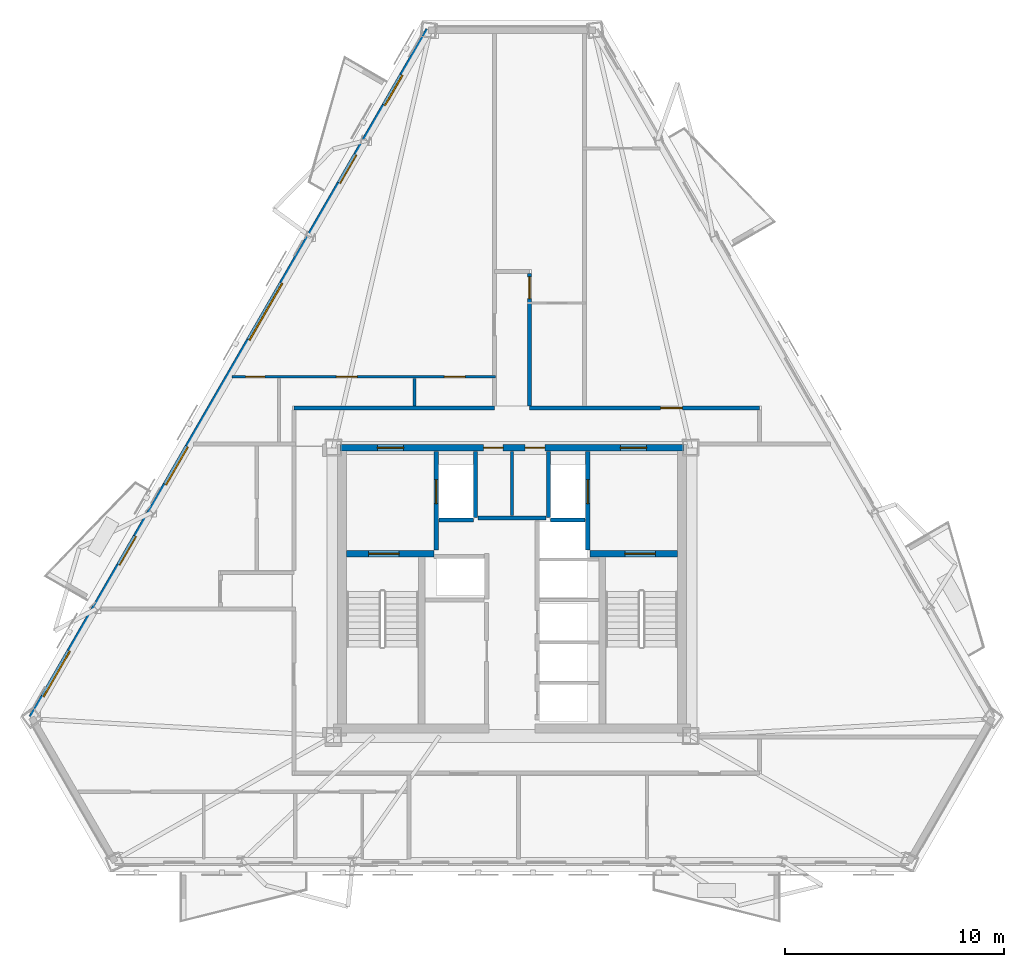
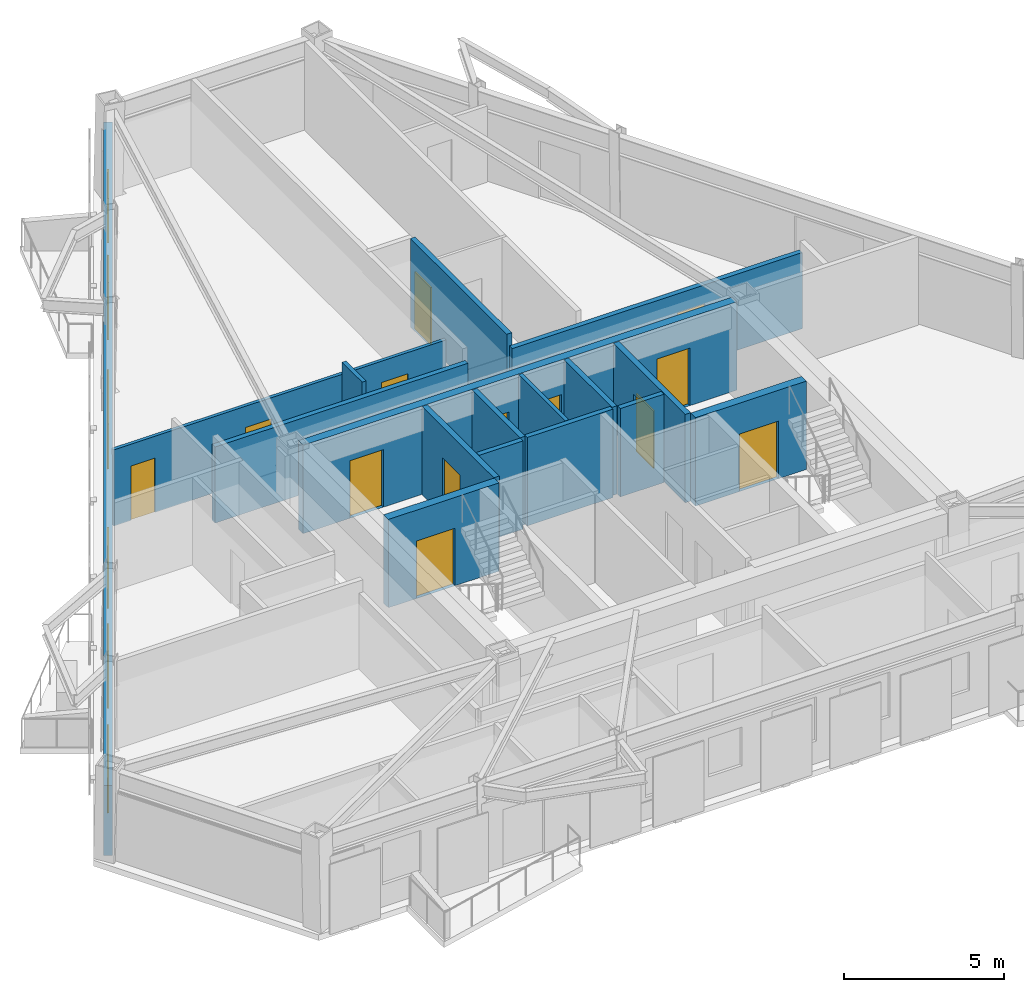
# One storey, part 4 of 8: 17 walls, 15 doors, 4 windows, 19 openings.
"""IFC4 building model written with IfcOpenShell, lengths in metres."""

import ifcopenshell
import ifcopenshell.guid

model = None  # the IFC model being written
_history = None  # IfcOwnerHistory: only IFC2X3 demands one
_inside = {}  # id of a spatial element -> (the spatial element, [elements in it])
_under = {}  # id of a project, library or spatial element -> (it, [spatial elements below it])
_declared = {}  # id of a project -> (the project, [libraries it declares])
_typed = {}  # id of a type object -> (the type object, [elements of that type])
_made_of = {}  # id of a material, layer set ... -> (it, [elements and type objects made of it])


def new_model(schema):
    """Start an empty IFC model of exactly this schema.

    Asked for "IFC4X3", IfcOpenShell would pick the latest addendum, in which some entities
    have other attributes; the version numbers below select the first issue.
    IFC2X3 requires an IfcOwnerHistory on every rooted entity: one is made here for all.
    """
    global model, _history
    if schema == "IFC4X3":
        model = ifcopenshell.file(schema_version=(4, 3, 0, 0))
    else:
        model = ifcopenshell.file(schema=schema)
    _inside.clear()
    _under.clear()
    _declared.clear()
    _typed.clear()
    _made_of.clear()
    _history = None
    if model.schema == "IFC2X3":
        org = make("IfcOrganization", Name="unknown")
        user = make(
            "IfcPersonAndOrganization",
            ThePerson=make("IfcPerson", FamilyName="unknown"),
            TheOrganization=org,
        )
        app = make(
            "IfcApplication",
            ApplicationDeveloper=org,
            Version="unknown",
            ApplicationFullName="unknown",
            ApplicationIdentifier="unknown",
        )
        _history = make(
            "IfcOwnerHistory",
            OwningUser=user,
            OwningApplication=app,
            ChangeAction="ADDED",
            CreationDate=0,
        )
    return model


def make(cls, **values):
    """One entity of the class cls with the attributes given. An attribute that is None is left unset."""
    return model.create_entity(
        cls, **{name: value for name, value in values.items() if value is not None}
    )


def rooted(cls, **values):
    """An entity with a GlobalId (a new one), such as an element, a storey or a relation."""
    return make(cls, GlobalId=ifcopenshell.guid.new(), OwnerHistory=_history, **values)


def si_unit(unit_type, name, prefix=None):
    """IfcSIUnit, for example si_unit("LENGTHUNIT", "METRE", prefix="MILLI")."""
    return make("IfcSIUnit", UnitType=unit_type, Prefix=prefix, Name=name)


def assignment(units):
    """IfcUnitAssignment: the units of a project."""
    return None if units is None else make("IfcUnitAssignment", Units=units)


def point(xyz):
    """IfcCartesianPoint."""
    return None if xyz is None else make("IfcCartesianPoint", Coordinates=xyz)


def direction(xyz):
    """IfcDirection."""
    return None if xyz is None else make("IfcDirection", DirectionRatios=xyz)


def frame(location, z_axis=None, x_axis=None):
    """IfcAxis2Placement3D, a coordinate frame: its origin and axes. An axis left out is left unset."""
    return make(
        "IfcAxis2Placement3D",
        Location=point(location),
        Axis=direction(z_axis),
        RefDirection=direction(x_axis),
    )


def frame_2d(location, x_axis=None):
    """IfcAxis2Placement2D, a coordinate frame in the plane: its origin and x axis."""
    return make(
        "IfcAxis2Placement2D", Location=point(location), RefDirection=direction(x_axis)
    )


def origin():
    """The frame at (0, 0, 0) with its axes left unset."""
    return frame((0.0, 0.0, 0.0))


def place(relative_to, where):
    """IfcLocalPlacement: puts the frame where relative to a parent placement (None: the world)."""
    return make(
        "IfcLocalPlacement", PlacementRelTo=relative_to, RelativePlacement=where
    )


def context(
    kind, dimensions, precision=None, world=None, true_north=None, identifier=None
):
    """IfcGeometricRepresentationContext, for example the 3D "Model" context."""
    return make(
        "IfcGeometricRepresentationContext",
        ContextIdentifier=identifier,
        ContextType=kind,
        CoordinateSpaceDimension=dimensions,
        Precision=precision,
        WorldCoordinateSystem=world,
        TrueNorth=true_north,
    )


def subcontext(parent, identifier, kind, view, scale=None):
    """IfcGeometricRepresentationSubContext, for example "Body" below "Model"."""
    return make(
        "IfcGeometricRepresentationSubContext",
        ContextIdentifier=identifier,
        ContextType=kind,
        ParentContext=parent,
        TargetScale=scale,
        TargetView=view,
    )


def project(units=None, contexts=None):
    """IfcProject with its units and contexts."""
    return rooted(
        "IfcProject",
        Name="project",
        RepresentationContexts=contexts,
        UnitsInContext=assignment(units),
    )


def spatial(cls, under=None, at=None, **own):
    """A site, building, storey or space (cls), placed at a placement, below another one or the project."""
    s = rooted(cls, ObjectPlacement=at, **own)
    if under is not None:
        _under.setdefault(under.id(), (under, []))[1].append(s)
    return s


def profile(cls, at=None, kind="AREA", **sizes):
    """A parametric profile (cls). Its sizes go by their IFC names, for example OverallWidth=200.0."""
    return make(cls, ProfileType=kind, Position=at, **sizes)


def rectangle(**sizes):
    """IfcRectangleProfileDef."""
    return profile("IfcRectangleProfileDef", **sizes)


def extrude(swept, where, along, depth):
    """IfcExtrudedAreaSolid: the profile swept, set in the frame where, extruded along a direction by depth."""
    return make(
        "IfcExtrudedAreaSolid",
        SweptArea=swept,
        Position=where,
        ExtrudedDirection=direction(along),
        Depth=depth,
    )


def shape(context_of_items, identifier, shape_type, items):
    """IfcShapeRepresentation: the items that make up one representation, for example the "Body"."""
    return make(
        "IfcShapeRepresentation",
        ContextOfItems=context_of_items,
        RepresentationIdentifier=identifier,
        RepresentationType=shape_type,
        Items=items,
    )


def material(Name=None, Category=None):
    """IfcMaterial."""
    return make("IfcMaterial", Name=Name, Category=Category)


def layer(
    of_material, thickness, ventilated=None, Name=None, Category=None, Priority=None
):
    """IfcMaterialLayer: one layer of a wall or slab, of a material (None: an air gap)."""
    return make(
        "IfcMaterialLayer",
        Material=of_material,
        LayerThickness=thickness,
        IsVentilated=ventilated,
        Name=Name,
        Category=Category,
        Priority=Priority,
    )


def layer_set(layers, Name=None):
    """IfcMaterialLayerSet."""
    return make("IfcMaterialLayerSet", MaterialLayers=layers, LayerSetName=Name)


def made_of(thing, what):
    """Note that an element or type object is made of a material, layer set ...; save() writes the relation."""
    if what is not None:
        _made_of.setdefault(what.id(), (what, []))[1].append(thing)
    return thing


def type_object(cls, material=None, **own):
    """A type object (cls), such as IfcWallType, which elements share."""
    return made_of(rooted(cls, **own), material)


def element(
    cls,
    number,
    at=None,
    inside=None,
    cuts=None,
    type_object=None,
    material=None,
    context=None,
    identifier="Body",
    shape_type=None,
    held_by="IfcProductDefinitionShape",
    body=None,
    shapes=None,
    **own,
):
    """One element of the class cls, such as IfcWall. Its Tag is "e" and its number.

    at: its placement. inside: the storey or other place that contains it. cuts: it is an
    opening in that element (IfcRelVoidsElement). A single representation is given by context,
    identifier, shape_type and body (its items); several are given by shapes. held_by: the class
    of the entity that holds the representations. save() writes the other relations.
    """
    e = rooted(cls, Tag="e%d" % number, ObjectPlacement=at, **own)
    if body is not None:
        shapes = [shape(context, identifier, shape_type, body)]
    if shapes is not None:
        e.Representation = make(held_by, Representations=shapes)
    if inside is not None:
        _inside.setdefault(inside.id(), (inside, []))[1].append(e)
    if cuts is not None:
        rooted(
            "IfcRelVoidsElement", RelatingBuildingElement=cuts, RelatedOpeningElement=e
        )
    if type_object is not None:
        _typed.setdefault(type_object.id(), (type_object, []))[1].append(e)
    return made_of(e, material)


def fill(opening, filler):
    """IfcRelFillsElement: the door or window that sits in an opening."""
    return rooted(
        "IfcRelFillsElement",
        RelatingOpeningElement=opening,
        RelatedBuildingElement=filler,
    )


def aggregate(whole, parts):
    """IfcRelAggregates: a whole, such as a stair, and the parts it consists of."""
    return rooted("IfcRelAggregates", RelatingObject=whole, RelatedObjects=parts)


def save(model, path):
    """Write the relations noted so far, then the file.

    IfcRelAggregates (storeys below a building ...), IfcRelContainedInSpatialStructure (elements
    in a storey), IfcRelDefinesByType, IfcRelAssociatesMaterial and IfcRelDeclares: one each for
    every whole, place, type object, material and project.
    """
    for whole, parts in _under.values():
        aggregate(whole, parts)
    for where, things in _inside.values():
        rooted(
            "IfcRelContainedInSpatialStructure",
            RelatedElements=things,
            RelatingStructure=where,
        )
    for kind, things in _typed.values():
        rooted("IfcRelDefinesByType", RelatedObjects=things, RelatingType=kind)
    for what, things in _made_of.values():
        rooted("IfcRelAssociatesMaterial", RelatedObjects=things, RelatingMaterial=what)
    for by, libraries in _declared.values():
        rooted("IfcRelDeclares", RelatingContext=by, RelatedDefinitions=libraries)
    model.write(path)


model = new_model("IFC4")

# Units and contexts
model_context = context("Model", 3, precision=1e-05, world=origin(), true_north=direction((0.0, 1.0)))
body_context = subcontext(model_context, "Body", "Model", "MODEL_VIEW")
ifc_project = project(units=[si_unit("LENGTHUNIT", "METRE"), si_unit("AREAUNIT", "SQUARE_METRE"), si_unit("VOLUMEUNIT", "CUBIC_METRE"), si_unit("PLANEANGLEUNIT", "RADIAN"), si_unit("MASSUNIT", "GRAM", prefix="KILO")], contexts=[model_context])

# Site, building, storey
site_placement = place(None, origin())
site = spatial("IfcSite", under=ifc_project, at=site_placement, CompositionType="ELEMENT")
building_placement = place(site_placement, origin())
building = spatial("IfcBuilding", under=site, at=building_placement, Name="Oramaril Tower", CompositionType="ELEMENT")
storey_placement = place(building_placement, frame((0.0, 0.0, 193.800048828125)))
storey = spatial("IfcBuildingStorey", under=building, at=storey_placement, Name="L51", CompositionType="ELEMENT", Elevation=193.800048828125)

# Wall, openings, doors, windows
ifc_material_1 = material(Name="Warm Cream Limestone", Category="masonry")
ifc_layer_1 = layer(ifc_material_1, 0.2900390625)
ifc_layer_set_1 = layer_set([ifc_layer_1], Name="WT-EXT29")
wall_type_1 = type_object("IfcWallType", Name="WT-EXT29", PredefinedType="SOLIDWALL", material=ifc_layer_set_1)
wall_1_placement = place(storey_placement, frame((33.69091796875, 43.21923828125, 0.0), z_axis=(0.0, 0.0, 1.0), x_axis=(-0.499997159266, -0.866027043877, 0.0)))
wall_1 = element("IfcWall", 1, at=wall_1_placement, inside=storey, type_object=wall_type_1, Name="L51 Tower Limestone Facade Wall 6M", PredefinedType="SOLIDWALL", context=body_context, shape_type="SweptSolid", body=[
    extrude(rectangle(XDim=36.234619140625, YDim=0.2900390625, at=frame_2d((18.1171875, 0.0))), origin(), (0.0, 0.0, 1.0), 2.677001953125),
])
opening_1_placement = place(wall_1_placement, frame((6.579345703125, 0.0, 0.0)))
opening_1 = element("IfcOpeningElement", 2, at=opening_1_placement, cuts=wall_1, Name="Opening D-L51-BAL-NW1", PredefinedType="OPENING", context=body_context, shape_type="SweptSolid", body=[
    extrude(rectangle(XDim=1.5, YDim=2.199951171875, at=frame_2d((0.75, 1.10009765625))), frame((0.0, 0.14501953125, 0.0), z_axis=(0.0, -1.0, 0.0), x_axis=(1.0, 0.0, 0.0)), (0.0, 0.0, 1.0), 0.2900390625),
])
opening_2_placement = place(wall_1_placement, frame((26.7001953125, 0.0, 0.0)))
opening_2 = element("IfcOpeningElement", 3, at=opening_2_placement, cuts=wall_1, Name="Opening D-L51-BAL-NW2", PredefinedType="OPENING", context=body_context, shape_type="SweptSolid", body=[
    extrude(rectangle(XDim=1.5, YDim=2.199951171875, at=frame_2d((0.75, 1.10009765625))), frame((0.0, 0.14501953125, 0.0), z_axis=(0.0, -1.0, 0.0), x_axis=(1.0, 0.0, 0.0)), (0.0, 0.0, 1.0), 0.2900390625),
])
opening_3_placement = place(wall_1_placement, frame((32.739501953125, 0.0, 0.85009765625)))
opening_3 = element("IfcOpeningElement", 4, at=opening_3_placement, cuts=wall_1, Name="Opening WN-03", PredefinedType="OPENING", context=body_context, shape_type="SweptSolid", body=[
    extrude(rectangle(XDim=2.39990234375, YDim=1.717041015625, at=frame_2d((1.199951171875, 0.8583984375))), frame((0.0, 0.14501953125, 0.0), z_axis=(0.0, -1.0, 0.0), x_axis=(1.0, 0.0, 0.0)), (0.0, 0.0, 1.0), 0.2900390625),
])
opening_4_placement = place(wall_1_placement, frame((21.97119140625, 0.0, 0.85009765625)))
opening_4 = element("IfcOpeningElement", 5, at=opening_4_placement, cuts=wall_1, Name="Opening WN-05", PredefinedType="OPENING", context=body_context, shape_type="SweptSolid", body=[
    extrude(rectangle(XDim=2.0, YDim=1.717041015625, at=frame_2d((1.0, 0.8583984375))), frame((0.0, 0.14501953125, 0.0), z_axis=(0.0, -1.0, 0.0), x_axis=(1.0, 0.0, 0.0)), (0.0, 0.0, 1.0), 0.2900390625),
])
opening_5_placement = place(wall_1_placement, frame((2.383056640625, 0.0, 0.85009765625)))
opening_5 = element("IfcOpeningElement", 6, at=opening_5_placement, cuts=wall_1, Name="Opening WN-07", PredefinedType="OPENING", context=body_context, shape_type="SweptSolid", body=[
    extrude(rectangle(XDim=1.60009765625, YDim=1.699951171875, at=frame_2d((0.800048828125, 0.85009765625))), frame((0.0, 0.14501953125, 0.0), z_axis=(0.0, -1.0, 0.0), x_axis=(1.0, 0.0, 0.0)), (0.0, 0.0, 1.0), 0.2900390625),
])
opening_6_placement = place(wall_1_placement, frame((13.34814453125, 0.0, 0.85009765625)))
opening_6 = element("IfcOpeningElement", 7, at=opening_6_placement, cuts=wall_1, Name="Opening WN-10", PredefinedType="OPENING", context=body_context, shape_type="SweptSolid", body=[
    extrude(rectangle(XDim=3.0, YDim=1.717041015625, at=frame_2d((1.5, 0.8583984375))), frame((0.0, 0.14501953125, 0.0), z_axis=(0.0, -1.0, 0.0), x_axis=(1.0, 0.0, 0.0)), (0.0, 0.0, 1.0), 0.2900390625),
])
ifc_material_2 = material(Name="Anodised Aluminium 6063-T6", Category="aluminium")
door_type_1 = type_object("IfcDoorType", Name="DT-BAL", OperationType="NOTDEFINED", PredefinedType="DOOR", material=ifc_material_2)
door_1_placement = place(opening_1_placement, origin())
door_1 = element("IfcDoor", 8, at=door_1_placement, inside=storey, type_object=door_type_1, Name="L51 Balcony Glazed Door L51-BAL-NW1", OperationType="SINGLE_SWING_RIGHT", OverallHeight=2.199951171875, OverallWidth=1.5, PredefinedType="DOOR", context=body_context, shape_type="SweptSolid", body=[
    extrude(rectangle(XDim=1.5, YDim=2.199951171875, at=frame_2d((0.75, 1.10009765625))), frame((0.0, 0.02490234375, 0.0), z_axis=(0.0, -1.0, 0.0), x_axis=(1.0, 0.0, 0.0)), (0.0, 0.0, 1.0), 0.050048828125),
])
fill(opening_1, door_1)
door_2_placement = place(opening_2_placement, origin())
door_2 = element("IfcDoor", 9, at=door_2_placement, inside=storey, type_object=door_type_1, Name="L51 Balcony Glazed Door L51-BAL-NW2", OperationType="SINGLE_SWING_LEFT", OverallHeight=2.199951171875, OverallWidth=1.5, PredefinedType="DOOR", context=body_context, shape_type="SweptSolid", body=[
    extrude(rectangle(XDim=1.5, YDim=2.199951171875, at=frame_2d((0.75, 1.10009765625))), frame((0.0, 0.02490234375, 0.0), z_axis=(0.0, -1.0, 0.0), x_axis=(1.0, 0.0, 0.0)), (0.0, 0.0, 1.0), 0.050048828125),
])
fill(opening_2, door_2)
ifc_material_3 = material(Name="Coastal Low-E Insulated Glass", Category="glass")
window_type_1 = type_object("IfcWindowType", Name="WNT-03", PartitioningType="SINGLE_PANEL", PredefinedType="WINDOW", material=ifc_material_3)
window_1_placement = place(opening_3_placement, origin())
window_1 = element("IfcWindow", 10, at=window_1_placement, inside=storey, type_object=window_type_1, Name="L51 Chicago Bay Window WN-03", OverallHeight=1.717041015625, OverallWidth=2.39990234375, PartitioningType="SINGLE_PANEL", PredefinedType="WINDOW", context=body_context, shape_type="SweptSolid", body=[
    extrude(rectangle(XDim=2.39990234375, YDim=1.717041015625, at=frame_2d((1.199951171875, 0.8583984375))), frame((0.0, 0.030029296875, 0.0), z_axis=(0.0, -1.0, 0.0), x_axis=(1.0, 0.0, 0.0)), (0.0, 0.0, 1.0), 0.06005859375),
])
fill(opening_3, window_1)
ifc_material_4 = material(Name="Coastal Low-E Insulated Glass", Category="glass")
window_type_2 = type_object("IfcWindowType", Name="WNT-05", PartitioningType="SINGLE_PANEL", PredefinedType="WINDOW", material=ifc_material_4)
window_2_placement = place(opening_4_placement, origin())
window_2 = element("IfcWindow", 11, at=window_2_placement, inside=storey, type_object=window_type_2, Name="L51 Chicago Bay Window WN-05", OverallHeight=1.717041015625, OverallWidth=2.0, PartitioningType="SINGLE_PANEL", PredefinedType="WINDOW", context=body_context, shape_type="SweptSolid", body=[
    extrude(rectangle(XDim=2.0, YDim=1.717041015625, at=frame_2d((1.0, 0.8583984375))), frame((0.0, 0.030029296875, 0.0), z_axis=(0.0, -1.0, 0.0), x_axis=(1.0, 0.0, 0.0)), (0.0, 0.0, 1.0), 0.06005859375),
])
fill(opening_4, window_2)
ifc_material_5 = material(Name="Coastal Low-E Insulated Glass", Category="glass")
window_type_3 = type_object("IfcWindowType", Name="WNT-07", PartitioningType="SINGLE_PANEL", PredefinedType="WINDOW", material=ifc_material_5)
window_3_placement = place(opening_5_placement, origin())
window_3 = element("IfcWindow", 12, at=window_3_placement, inside=storey, type_object=window_type_3, Name="L51 Chicago Bay Window WN-07", OverallHeight=1.699951171875, OverallWidth=1.60009765625, PartitioningType="SINGLE_PANEL", PredefinedType="WINDOW", context=body_context, shape_type="SweptSolid", body=[
    extrude(rectangle(XDim=1.60009765625, YDim=1.699951171875, at=frame_2d((0.800048828125, 0.85009765625))), frame((0.0, 0.030029296875, 0.0), z_axis=(0.0, -1.0, 0.0), x_axis=(1.0, 0.0, 0.0)), (0.0, 0.0, 1.0), 0.06005859375),
])
fill(opening_5, window_3)
ifc_material_6 = material(Name="Coastal Low-E Insulated Glass", Category="glass")
window_type_4 = type_object("IfcWindowType", Name="WNT-10", PartitioningType="SINGLE_PANEL", PredefinedType="WINDOW", material=ifc_material_6)
window_4_placement = place(opening_6_placement, origin())
window_4 = element("IfcWindow", 13, at=window_4_placement, inside=storey, type_object=window_type_4, Name="L51 Chicago Bay Window WN-10", OverallHeight=1.717041015625, OverallWidth=3.0, PartitioningType="SINGLE_PANEL", PredefinedType="WINDOW", context=body_context, shape_type="SweptSolid", body=[
    extrude(rectangle(XDim=3.0, YDim=1.717041015625, at=frame_2d((1.5, 0.8583984375))), frame((0.0, 0.030029296875, 0.0), z_axis=(0.0, -1.0, 0.0), x_axis=(1.0, 0.0, 0.0)), (0.0, 0.0, 1.0), 0.06005859375),
])
fill(opening_6, window_4)

# Wall, openings, doors
ifc_material_7 = material(Name="Acoustic Gypsum Board Partition")
ifc_layer_2 = layer(ifc_material_7, 0.1201171875)
ifc_layer_set_2 = layer_set([ifc_layer_2], Name="WT-PT12")
wall_type_2 = type_object("IfcWallType", Name="WT-PT12", PredefinedType="PARTITIONING", material=ifc_layer_set_2)
wall_2_placement = place(storey_placement, frame((24.72412109375, 27.389892578125, 0.0), z_axis=(0.0, 0.0, 1.0), x_axis=(1.0, 0.0, 0.0)))
wall_2 = element("IfcWall", 14, at=wall_2_placement, inside=storey, type_object=wall_type_2, Name="L51 Interior Partition PT-12", PredefinedType="PARTITIONING", context=body_context, shape_type="SweptSolid", body=[
    extrude(rectangle(XDim=12.02587890625, YDim=0.1201171875, at=frame_2d((6.012939453125, 0.0))), origin(), (0.0, 0.0, 1.0), 2.912841796875),
])
opening_7_placement = place(wall_2_placement, frame((0.6162109375, 0.0, 0.0)))
opening_7 = element("IfcOpeningElement", 15, at=opening_7_placement, cuts=wall_2, Name="Opening D-L51-08", PredefinedType="OPENING", context=body_context, shape_type="SweptSolid", body=[
    extrude(rectangle(XDim=0.8798828125, YDim=2.080078125, at=frame_2d((0.43994140625, 1.0400390625))), frame((0.0, 0.06005859375, 0.0), z_axis=(0.0, -1.0, 0.0), x_axis=(1.0, 0.0, 0.0)), (0.0, 0.0, 1.0), 0.1201171875),
])
opening_8_placement = place(wall_2_placement, frame((4.7587890625, 0.0, 0.0)))
opening_8 = element("IfcOpeningElement", 16, at=opening_8_placement, cuts=wall_2, Name="Opening D-L51-09", PredefinedType="OPENING", context=body_context, shape_type="SweptSolid", body=[
    extrude(rectangle(XDim=0.949951171875, YDim=2.10009765625, at=frame_2d((0.47509765625, 1.050048828125))), frame((0.0, 0.06005859375, 0.0), z_axis=(0.0, -1.0, 0.0), x_axis=(1.0, 0.0, 0.0)), (0.0, 0.0, 1.0), 0.1201171875),
])
opening_9_placement = place(wall_2_placement, frame((9.69091796875, 0.0, 0.0)))
opening_9 = element("IfcOpeningElement", 17, at=opening_9_placement, cuts=wall_2, Name="Opening D-L51-10", PredefinedType="OPENING", context=body_context, shape_type="SweptSolid", body=[
    extrude(rectangle(XDim=0.949951171875, YDim=2.10009765625, at=frame_2d((0.47509765625, 1.050048828125))), frame((0.0, 0.06005859375, 0.0), z_axis=(0.0, -1.0, 0.0), x_axis=(1.0, 0.0, 0.0)), (0.0, 0.0, 1.0), 0.1201171875),
])
ifc_material_8 = material(Name="FSC Brazilian Freijo Hardwood", Category="wood")
door_type_2 = type_object("IfcDoorType", Name="DT-BATH", OperationType="NOTDEFINED", PredefinedType="DOOR", material=ifc_material_8)
door_3_placement = place(opening_7_placement, origin())
door_3 = element("IfcDoor", 18, at=door_3_placement, inside=storey, type_object=door_type_2, Name="L51 Flat L51-U5 Bathroom Door D-L51-08", OperationType="SINGLE_SWING_RIGHT", OverallHeight=2.080078125, OverallWidth=0.8798828125, PredefinedType="DOOR", context=body_context, shape_type="SweptSolid", body=[
    extrude(rectangle(XDim=0.8798828125, YDim=2.080078125, at=frame_2d((0.43994140625, 1.0400390625))), frame((0.0, 0.02490234375, 0.0), z_axis=(0.0, -1.0, 0.0), x_axis=(1.0, 0.0, 0.0)), (0.0, 0.0, 1.0), 0.050048828125),
])
fill(opening_7, door_3)
ifc_material_9 = material(Name="FSC Brazilian Freijo Hardwood", Category="wood")
door_type_3 = type_object("IfcDoorType", Name="DT-STDY", OperationType="NOTDEFINED", PredefinedType="DOOR", material=ifc_material_9)
door_4_placement = place(opening_8_placement, origin())
door_4 = element("IfcDoor", 19, at=door_4_placement, inside=storey, type_object=door_type_3, Name="L51 Flat L51-U5 Kitchen Door D-L51-09", OperationType="SINGLE_SWING_LEFT", OverallHeight=2.10009765625, OverallWidth=0.949951171875, PredefinedType="DOOR", context=body_context, shape_type="SweptSolid", body=[
    extrude(rectangle(XDim=0.949951171875, YDim=2.10009765625, at=frame_2d((0.47509765625, 1.050048828125))), frame((0.0, 0.02490234375, 0.0), z_axis=(0.0, -1.0, 0.0), x_axis=(1.0, 0.0, 0.0)), (0.0, 0.0, 1.0), 0.050048828125),
])
fill(opening_8, door_4)
door_5_placement = place(opening_9_placement, origin())
door_5 = element("IfcDoor", 20, at=door_5_placement, inside=storey, type_object=door_type_3, Name="L51 Flat L51-U5 Breakfast Dining Room Door D-L51-10", OperationType="SINGLE_SWING_RIGHT", OverallHeight=2.10009765625, OverallWidth=0.949951171875, PredefinedType="DOOR", context=body_context, shape_type="SweptSolid", body=[
    extrude(rectangle(XDim=0.949951171875, YDim=2.10009765625, at=frame_2d((0.47509765625, 1.050048828125))), frame((0.0, 0.02490234375, 0.0), z_axis=(0.0, -1.0, 0.0), x_axis=(1.0, 0.0, 0.0)), (0.0, 0.0, 1.0), 0.050048828125),
])
fill(opening_9, door_5)

# Walls
ifc_material_10 = material(Name="Acoustic Gypsum Board Partition")
ifc_layer_3 = layer(ifc_material_10, 0.139892578125)
ifc_layer_set_3 = layer_set([ifc_layer_3], Name="WT-PT14")
wall_type_3 = type_object("IfcWallType", Name="WT-PT14", PredefinedType="PARTITIONING", material=ifc_layer_set_3)
wall_3_placement = place(storey_placement, frame((37.5, 21.06005859375, 0.0), z_axis=(0.0, 0.0, 1.0), x_axis=(0.0, 1.0, 0.0)))
element("IfcWall", 21, at=wall_3_placement, inside=storey, type_object=wall_type_3, Name="L51 Core Service Divider", PredefinedType="PARTITIONING", context=body_context, shape_type="SweptSolid", body=[
    extrude(rectangle(XDim=2.919921875, YDim=0.139892578125, at=frame_2d((1.4599609375, 0.0))), origin(), (0.0, 0.0, 1.0), 3.3798828125),
])
wall_4_placement = place(storey_placement, frame((33.050048828125, 26.06396484375, 0.0), z_axis=(0.0, 0.0, 1.0), x_axis=(0.0, 1.0, 0.0)))
element("IfcWall", 22, at=wall_4_placement, inside=storey, type_object=wall_type_3, Name="L51 Interior Partition PT-14", PredefinedType="PARTITIONING", context=body_context, shape_type="SweptSolid", body=[
    extrude(rectangle(XDim=1.261962890625, YDim=0.139892578125, at=frame_2d((0.630859375, 0.0))), origin(), (0.0, 0.0, 1.0), 3.3798828125),
])
ifc_material_11 = material(Name="Autoclaved Cellular Concrete Block", Category="concrete")
ifc_layer_4 = layer(ifc_material_11, 0.179931640625)
ifc_layer_set_4 = layer_set([ifc_layer_4], Name="WT-PT18")
wall_type_4 = type_object("IfcWallType", Name="WT-PT18", PredefinedType="PARTITIONING", material=ifc_layer_set_4)
wall_5_placement = place(storey_placement, frame((35.840087890625, 20.9599609375, 0.0), z_axis=(0.0, 0.0, 1.0), x_axis=(0.0, 1.0, 0.0)))
element("IfcWall", 23, at=wall_5_placement, inside=storey, type_object=wall_type_4, Name="L51 FL-1 East Shaft Wall", PredefinedType="PARTITIONING", context=body_context, shape_type="SweptSolid", body=[
    extrude(rectangle(XDim=3.02001953125, YDim=0.179931640625, at=frame_2d((1.510009765625, 0.0))), origin(), (0.0, 0.0, 1.0), 3.3798828125),
])
wall_6_placement = place(storey_placement, frame((34.159912109375, 20.860107421875, 0.0), z_axis=(0.0, 0.0, 1.0), x_axis=(1.0, 0.0, 0.0)))
element("IfcWall", 24, at=wall_6_placement, inside=storey, type_object=wall_type_4, Name="L51 FL-1 South Shaft Wall", PredefinedType="PARTITIONING", context=body_context, shape_type="SweptSolid", body=[
    extrude(rectangle(XDim=1.580078125, YDim=0.179931640625, at=frame_2d((0.7900390625, 0.0))), origin(), (0.0, 0.0, 1.0), 3.3798828125),
])
wall_7_placement = place(storey_placement, frame((39.159912109375, 20.9599609375, 0.0), z_axis=(0.0, 0.0, 1.0), x_axis=(0.0, 1.0, 0.0)))
element("IfcWall", 25, at=wall_7_placement, inside=storey, type_object=wall_type_4, Name="L51 FL-2 West Shaft Wall", PredefinedType="PARTITIONING", context=body_context, shape_type="SweptSolid", body=[
    extrude(rectangle(XDim=3.02001953125, YDim=0.179931640625, at=frame_2d((1.510009765625, 0.0))), origin(), (0.0, 0.0, 1.0), 3.3798828125),
])
wall_8_placement = place(storey_placement, frame((39.260009765625, 20.860107421875, 0.0), z_axis=(0.0, 0.0, 1.0), x_axis=(1.0, 0.0, 0.0)))
element("IfcWall", 26, at=wall_8_placement, inside=storey, type_object=wall_type_4, Name="L51 FL-2 South Shaft Wall", PredefinedType="PARTITIONING", context=body_context, shape_type="SweptSolid", body=[
    extrude(rectangle(XDim=1.580078125, YDim=0.179931640625, at=frame_2d((0.7900390625, 0.0))), origin(), (0.0, 0.0, 1.0), 3.3798828125),
])
wall_9_placement = place(storey_placement, frame((35.949951171875, 20.949951171875, 0.0), z_axis=(0.0, 0.0, 1.0), x_axis=(1.0, 0.0, 0.0)))
element("IfcWall", 27, at=wall_9_placement, inside=storey, type_object=wall_type_4, Name="L51 Lift Lobby North Partition", PredefinedType="PARTITIONING", context=body_context, shape_type="SweptSolid", body=[
    extrude(rectangle(XDim=3.10009765625, YDim=0.179931640625, at=frame_2d((1.550048828125, 0.0))), origin(), (0.0, 0.0, 1.0), 3.3798828125),
])
wall_10_placement = place(storey_placement, frame((27.550048828125, 25.969970703125, 0.0), z_axis=(0.0, 0.0, 1.0), x_axis=(1.0, 0.0, 0.0)))
element("IfcWall", 28, at=wall_10_placement, inside=storey, type_object=wall_type_4, Name="L51 Interior Partition PT-18", PredefinedType="PARTITIONING", context=body_context, shape_type="SweptSolid", body=[
    extrude(rectangle(XDim=9.14990234375, YDim=0.179931640625, at=frame_2d((4.574951171875, 0.0))), origin(), (0.0, 0.0, 1.0), 2.912841796875),
])

# Wall, opening, door
wall_11_placement = place(storey_placement, frame((38.300048828125, 25.969970703125, 0.0), z_axis=(0.0, 0.0, 1.0), x_axis=(1.0, 0.0, 0.0)))
wall_11 = element("IfcWall", 29, at=wall_11_placement, inside=storey, type_object=wall_type_4, Name="L51 Interior Partition PT-18", PredefinedType="PARTITIONING", context=body_context, shape_type="SweptSolid", body=[
    extrude(rectangle(XDim=10.5, YDim=0.179931640625, at=frame_2d((5.25, 0.0))), origin(), (0.0, 0.0, 1.0), 2.912841796875),
])
opening_10_placement = place(wall_11_placement, frame((5.97900390625, 0.0, 0.0)))
opening_10 = element("IfcOpeningElement", 30, at=opening_10_placement, cuts=wall_11, Name="Opening D-L51-07", PredefinedType="OPENING", context=body_context, shape_type="SweptSolid", body=[
    extrude(rectangle(XDim=1.0, YDim=2.179931640625, at=frame_2d((0.5, 1.08984375))), frame((0.0, 0.08984375, 0.0), z_axis=(0.0, -1.0, 0.0), x_axis=(1.0, 0.0, 0.0)), (0.0, 0.0, 1.0), 0.179931640625),
])
ifc_material_12 = material(Name="FSC Brazilian Freijo Hardwood", Category="wood")
door_type_4 = type_object("IfcDoorType", Name="DT-APT", OperationType="NOTDEFINED", PredefinedType="DOOR", material=ifc_material_12)
door_6_placement = place(opening_10_placement, origin())
door_6 = element("IfcDoor", 31, at=door_6_placement, inside=storey, type_object=door_type_4, Name="L51 Flat L51-U7 Kitchen and Studio Apartment Door D-L51-07", OperationType="SINGLE_SWING_LEFT", OverallHeight=2.179931640625, OverallWidth=1.0, PredefinedType="DOOR", context=body_context, shape_type="SweptSolid", body=[
    extrude(rectangle(XDim=1.0, YDim=2.179931640625, at=frame_2d((0.5, 1.08984375))), frame((0.0, 0.02490234375, 0.0), z_axis=(0.0, -1.0, 0.0), x_axis=(1.0, 0.0, 0.0)), (0.0, 0.0, 1.0), 0.050048828125),
])
fill(opening_10, door_6)

wall_12_placement = place(storey_placement, frame((38.300048828125, 26.06396484375, 0.0), z_axis=(0.0, 0.0, 1.0), x_axis=(0.0, 1.0, 0.0)))
wall_12 = element("IfcWall", 32, at=wall_12_placement, inside=storey, type_object=wall_type_4, Name="L51 Interior Partition PT-18", PredefinedType="PARTITIONING", context=body_context, shape_type="SweptSolid", body=[
    extrude(rectangle(XDim=6.0419921875, YDim=0.179931640625, at=frame_2d((3.02099609375, 0.0))), origin(), (0.0, 0.0, 1.0), 3.3798828125),
])
opening_11_placement = place(wall_12_placement, frame((4.89208984375, 0.0, 0.0)))
opening_11 = element("IfcOpeningElement", 33, at=opening_11_placement, cuts=wall_12, Name="Opening D-L51-17", PredefinedType="OPENING", context=body_context, shape_type="SweptSolid", body=[
    extrude(rectangle(XDim=1.0, YDim=2.179931640625, at=frame_2d((0.5, 1.08984375))), frame((0.0, 0.08984375, 0.0), z_axis=(0.0, -1.0, 0.0), x_axis=(1.0, 0.0, 0.0)), (0.0, 0.0, 1.0), 0.179931640625),
])
door_7_placement = place(opening_11_placement, origin())
door_7 = element("IfcDoor", 34, at=door_7_placement, inside=storey, type_object=door_type_4, Name="L51 Flat L51-U6 Kitchen and Studio Apartment Door D-L51-17", OperationType="SINGLE_SWING_LEFT", OverallHeight=2.179931640625, OverallWidth=1.0, PredefinedType="DOOR", context=body_context, shape_type="SweptSolid", body=[
    extrude(rectangle(XDim=1.0, YDim=2.179931640625, at=frame_2d((0.5, 1.08984375))), frame((0.0, 0.02490234375, 0.0), z_axis=(0.0, -1.0, 0.0), x_axis=(1.0, 0.0, 0.0)), (0.0, 0.0, 1.0), 0.050048828125),
])
fill(opening_11, door_7)

# Wall, openings, doors
ifc_material_13 = material(Name="Concrete C50/60", Category="concrete")
ifc_layer_5 = layer(ifc_material_13, 0.300048828125)
ifc_layer_set_5 = layer_set([ifc_layer_5], Name="WT-SH30")
wall_type_5 = type_object("IfcWallType", Name="WT-SH30", PredefinedType="SHEAR", material=ifc_layer_set_5)
wall_13_placement = place(storey_placement, frame((29.64990234375, 24.14990234375, 0.0), z_axis=(0.0, 0.0, 1.0), x_axis=(1.0, 0.0, 0.0)))
wall_13 = element("IfcWall", 35, at=wall_13_placement, inside=storey, type_object=wall_type_5, Name="L51 Core Shear Wall CW-N", PredefinedType="SHEAR", context=body_context, shape_type="SweptSolid", body=[
    extrude(rectangle(XDim=15.7001953125, YDim=0.300048828125, at=frame_2d((7.85009765625, 0.0))), origin(), (0.0, 0.0, 1.0), 3.3798828125),
])
opening_12_placement = place(wall_13_placement, frame((1.699951171875, 0.0, 0.0)))
opening_12 = element("IfcOpeningElement", 36, at=opening_12_placement, cuts=wall_13, Name="Opening D-L51-FFL1", PredefinedType="OPENING", context=body_context, shape_type="SweptSolid", body=[
    extrude(rectangle(XDim=1.199951171875, YDim=2.199951171875, at=frame_2d((0.60009765625, 1.10009765625))), frame((0.0, 0.14990234375, 0.0), z_axis=(0.0, -1.0, 0.0), x_axis=(1.0, 0.0, 0.0)), (0.0, 0.0, 1.0), 0.300048828125),
])
opening_13_placement = place(wall_13_placement, frame((12.800048828125, 0.0, 0.0)))
opening_13 = element("IfcOpeningElement", 37, at=opening_13_placement, cuts=wall_13, Name="Opening D-L51-FFL2", PredefinedType="OPENING", context=body_context, shape_type="SweptSolid", body=[
    extrude(rectangle(XDim=1.199951171875, YDim=2.199951171875, at=frame_2d((0.60009765625, 1.10009765625))), frame((0.0, 0.14990234375, 0.0), z_axis=(0.0, -1.0, 0.0), x_axis=(1.0, 0.0, 0.0)), (0.0, 0.0, 1.0), 0.300048828125),
])
opening_14_placement = place(wall_13_placement, frame((6.550048828125, 0.0, 0.0)))
opening_14 = element("IfcOpeningElement", 38, at=opening_14_placement, cuts=wall_13, Name="Opening D-L51-SV1", PredefinedType="OPENING", context=body_context, shape_type="SweptSolid", body=[
    extrude(rectangle(XDim=0.89990234375, YDim=2.050048828125, at=frame_2d((0.449951171875, 1.02490234375))), frame((0.0, 0.14990234375, 0.0), z_axis=(0.0, -1.0, 0.0), x_axis=(1.0, 0.0, 0.0)), (0.0, 0.0, 1.0), 0.300048828125),
])
opening_15_placement = place(wall_13_placement, frame((8.449951171875, 0.0, 0.0)))
opening_15 = element("IfcOpeningElement", 39, at=opening_15_placement, cuts=wall_13, Name="Opening D-L51-SV2", PredefinedType="OPENING", context=body_context, shape_type="SweptSolid", body=[
    extrude(rectangle(XDim=0.89990234375, YDim=2.050048828125, at=frame_2d((0.449951171875, 1.02490234375))), frame((0.0, 0.14990234375, 0.0), z_axis=(0.0, -1.0, 0.0), x_axis=(1.0, 0.0, 0.0)), (0.0, 0.0, 1.0), 0.300048828125),
])
ifc_material_14 = material(Name="Painted Galvanised Steel", Category="steel")
door_type_5 = type_object("IfcDoorType", Name="DT-FFL", OperationType="NOTDEFINED", PredefinedType="DOOR", material=ifc_material_14)
door_8_placement = place(opening_12_placement, origin())
door_8 = element("IfcDoor", 40, at=door_8_placement, inside=storey, type_object=door_type_5, Name="L51 Firefighting Lobby 1 Fire Door", OperationType="SINGLE_SWING_LEFT", OverallHeight=2.199951171875, OverallWidth=1.199951171875, PredefinedType="DOOR", context=body_context, shape_type="SweptSolid", body=[
    extrude(rectangle(XDim=1.199951171875, YDim=2.199951171875, at=frame_2d((0.60009765625, 1.10009765625))), frame((0.0, 0.02490234375, 0.0), z_axis=(0.0, -1.0, 0.0), x_axis=(1.0, 0.0, 0.0)), (0.0, 0.0, 1.0), 0.050048828125),
])
fill(opening_12, door_8)
door_9_placement = place(opening_13_placement, origin())
door_9 = element("IfcDoor", 41, at=door_9_placement, inside=storey, type_object=door_type_5, Name="L51 Firefighting Lobby 2 Fire Door", OperationType="SINGLE_SWING_RIGHT", OverallHeight=2.199951171875, OverallWidth=1.199951171875, PredefinedType="DOOR", context=body_context, shape_type="SweptSolid", body=[
    extrude(rectangle(XDim=1.199951171875, YDim=2.199951171875, at=frame_2d((0.60009765625, 1.10009765625))), frame((0.0, 0.02490234375, 0.0), z_axis=(0.0, -1.0, 0.0), x_axis=(1.0, 0.0, 0.0)), (0.0, 0.0, 1.0), 0.050048828125),
])
fill(opening_13, door_9)
ifc_material_15 = material(Name="Painted Galvanised Steel", Category="steel")
door_type_6 = type_object("IfcDoorType", Name="DT-SVC", OperationType="NOTDEFINED", PredefinedType="DOOR", material=ifc_material_15)
door_10_placement = place(opening_14_placement, origin())
door_10 = element("IfcDoor", 42, at=door_10_placement, inside=storey, type_object=door_type_6, Name="L51 Core Service Store 1 Door", OperationType="SINGLE_SWING_LEFT", OverallHeight=2.050048828125, OverallWidth=0.89990234375, PredefinedType="DOOR", context=body_context, shape_type="SweptSolid", body=[
    extrude(rectangle(XDim=0.89990234375, YDim=2.050048828125, at=frame_2d((0.449951171875, 1.02490234375))), frame((0.0, 0.02490234375, 0.0), z_axis=(0.0, -1.0, 0.0), x_axis=(1.0, 0.0, 0.0)), (0.0, 0.0, 1.0), 0.050048828125),
])
fill(opening_14, door_10)
door_11_placement = place(opening_15_placement, origin())
door_11 = element("IfcDoor", 43, at=door_11_placement, inside=storey, type_object=door_type_6, Name="L51 Core Service Store 2 Door", OperationType="SINGLE_SWING_RIGHT", OverallHeight=2.050048828125, OverallWidth=0.89990234375, PredefinedType="DOOR", context=body_context, shape_type="SweptSolid", body=[
    extrude(rectangle(XDim=0.89990234375, YDim=2.050048828125, at=frame_2d((0.449951171875, 1.02490234375))), frame((0.0, 0.02490234375, 0.0), z_axis=(0.0, -1.0, 0.0), x_axis=(1.0, 0.0, 0.0)), (0.0, 0.0, 1.0), 0.050048828125),
])
fill(opening_15, door_11)

# Wall, opening, door
wall_14_placement = place(storey_placement, frame((29.93994140625, 19.31005859375, 0.0), z_axis=(0.0, 0.0, 1.0), x_axis=(1.0, 0.0, 0.0)))
wall_14 = element("IfcWall", 44, at=wall_14_placement, inside=storey, type_object=wall_type_5, Name="L51 Core Shear Wall CW-ST1N", PredefinedType="SHEAR", context=body_context, shape_type="SweptSolid", body=[
    extrude(rectangle(XDim=4.010009765625, YDim=0.300048828125, at=frame_2d((2.0048828125, 0.0))), origin(), (0.0, 0.0, 1.0), 3.3798828125),
])
opening_16_placement = place(wall_14_placement, frame((1.010009765625, 0.0, 0.0)))
opening_16 = element("IfcOpeningElement", 45, at=opening_16_placement, cuts=wall_14, Name="Opening D-L51-ST1", PredefinedType="OPENING", context=body_context, shape_type="SweptSolid", body=[
    extrude(rectangle(XDim=1.39990234375, YDim=2.199951171875, at=frame_2d((0.699951171875, 1.10009765625))), frame((0.0, 0.14990234375, 0.0), z_axis=(0.0, -1.0, 0.0), x_axis=(1.0, 0.0, 0.0)), (0.0, 0.0, 1.0), 0.300048828125),
])
ifc_material_16 = material(Name="Painted Galvanised Steel", Category="steel")
door_type_7 = type_object("IfcDoorType", Name="DT-ST", OperationType="NOTDEFINED", PredefinedType="DOOR", material=ifc_material_16)
door_12_placement = place(opening_16_placement, origin())
door_12 = element("IfcDoor", 46, at=door_12_placement, inside=storey, type_object=door_type_7, Name="L51 Protected Stair ST-1 Fire Door", OperationType="SINGLE_SWING_LEFT", OverallHeight=2.199951171875, OverallWidth=1.39990234375, PredefinedType="DOOR", context=body_context, shape_type="SweptSolid", body=[
    extrude(rectangle(XDim=1.39990234375, YDim=2.199951171875, at=frame_2d((0.699951171875, 1.10009765625))), frame((0.0, 0.02490234375, 0.0), z_axis=(0.0, -1.0, 0.0), x_axis=(1.0, 0.0, 0.0)), (0.0, 0.0, 1.0), 0.050048828125),
])
fill(opening_16, door_12)

wall_15_placement = place(storey_placement, frame((41.050048828125, 19.31005859375, 0.0), z_axis=(0.0, 0.0, 1.0), x_axis=(1.0, 0.0, 0.0)))
wall_15 = element("IfcWall", 47, at=wall_15_placement, inside=storey, type_object=wall_type_5, Name="L51 Core Shear Wall CW-ST2N", PredefinedType="SHEAR", context=body_context, shape_type="SweptSolid", body=[
    extrude(rectangle(XDim=4.010009765625, YDim=0.300048828125, at=frame_2d((2.0048828125, 0.0))), origin(), (0.0, 0.0, 1.0), 3.3798828125),
])
opening_17_placement = place(wall_15_placement, frame((1.60009765625, 0.0, 0.0)))
opening_17 = element("IfcOpeningElement", 48, at=opening_17_placement, cuts=wall_15, Name="Opening D-L51-ST2", PredefinedType="OPENING", context=body_context, shape_type="SweptSolid", body=[
    extrude(rectangle(XDim=1.39990234375, YDim=2.199951171875, at=frame_2d((0.699951171875, 1.10009765625))), frame((0.0, 0.14990234375, 0.0), z_axis=(0.0, -1.0, 0.0), x_axis=(1.0, 0.0, 0.0)), (0.0, 0.0, 1.0), 0.300048828125),
])
door_13_placement = place(opening_17_placement, origin())
door_13 = element("IfcDoor", 49, at=door_13_placement, inside=storey, type_object=door_type_7, Name="L51 Protected Stair ST-2 Fire Door", OperationType="SINGLE_SWING_RIGHT", OverallHeight=2.199951171875, OverallWidth=1.39990234375, PredefinedType="DOOR", context=body_context, shape_type="SweptSolid", body=[
    extrude(rectangle(XDim=1.39990234375, YDim=2.199951171875, at=frame_2d((0.699951171875, 1.10009765625))), frame((0.0, 0.02490234375, 0.0), z_axis=(0.0, -1.0, 0.0), x_axis=(1.0, 0.0, 0.0)), (0.0, 0.0, 1.0), 0.050048828125),
])
fill(opening_17, door_13)

ifc_material_17 = material(Name="Autoclaved Cellular Concrete Block", Category="concrete")
ifc_layer_6 = layer(ifc_material_17, 0.199951171875)
ifc_layer_set_6 = layer_set([ifc_layer_6], Name="WT-SHF20")
wall_type_6 = type_object("IfcWallType", Name="WT-SHF20", PredefinedType="PARTITIONING", material=ifc_layer_set_6)
wall_16_placement = place(storey_placement, frame((34.0400390625, 19.47998046875, 0.0), z_axis=(0.0, 0.0, 1.0), x_axis=(0.0, 1.0, 0.0)))
wall_16 = element("IfcWall", 50, at=wall_16_placement, inside=storey, type_object=wall_type_6, Name="L51 FL-1 Lobby Shaft Wall", PredefinedType="PARTITIONING", context=body_context, shape_type="SweptSolid", body=[
    extrude(rectangle(XDim=4.5, YDim=0.199951171875, at=frame_2d((2.25, 0.0))), origin(), (0.0, 0.0, 1.0), 3.3798828125),
])
opening_18_placement = place(wall_16_placement, frame((2.1201171875, 0.0, 0.0)))
opening_18 = element("IfcOpeningElement", 51, at=opening_18_placement, cuts=wall_16, Name="Opening LD-L51-FL-1", PredefinedType="OPENING", context=body_context, shape_type="SweptSolid", body=[
    extrude(rectangle(XDim=1.10009765625, YDim=2.199951171875, at=frame_2d((0.550048828125, 1.10009765625))), frame((0.0, 0.10009765625, 0.0), z_axis=(0.0, -1.0, 0.0), x_axis=(1.0, 0.0, 0.0)), (0.0, 0.0, 1.0), 0.199951171875),
])
ifc_material_18 = material(Name="Stainless Steel 316L", Category="steel")
door_type_8 = type_object("IfcDoorType", Name="DT-LD1", OperationType="NOTDEFINED", PredefinedType="DOOR", material=ifc_material_18)
door_14_placement = place(opening_18_placement, origin())
door_14 = element("IfcDoor", 52, at=door_14_placement, inside=storey, type_object=door_type_8, Name="L51 Lift FL-1 Sliding Landing Door", OperationType="SLIDING_TO_LEFT", OverallHeight=2.199951171875, OverallWidth=1.10009765625, PredefinedType="DOOR", context=body_context, shape_type="SweptSolid", body=[
    extrude(rectangle(XDim=1.10009765625, YDim=2.199951171875, at=frame_2d((0.550048828125, 1.10009765625))), frame((0.0, 0.02490234375, 0.0), z_axis=(0.0, -1.0, 0.0), x_axis=(1.0, 0.0, 0.0)), (0.0, 0.0, 1.0), 0.050048828125),
])
fill(opening_18, door_14)

wall_17_placement = place(storey_placement, frame((40.9599609375, 19.47998046875, 0.0), z_axis=(0.0, 0.0, 1.0), x_axis=(0.0, 1.0, 0.0)))
wall_17 = element("IfcWall", 53, at=wall_17_placement, inside=storey, type_object=wall_type_6, Name="L51 FL-2 Lobby Shaft Wall", PredefinedType="PARTITIONING", context=body_context, shape_type="SweptSolid", body=[
    extrude(rectangle(XDim=4.5, YDim=0.199951171875, at=frame_2d((2.25, 0.0))), origin(), (0.0, 0.0, 1.0), 3.3798828125),
])
opening_19_placement = place(wall_17_placement, frame((2.1201171875, 0.0, 0.0)))
opening_19 = element("IfcOpeningElement", 54, at=opening_19_placement, cuts=wall_17, Name="Opening LD-L51-FL-2", PredefinedType="OPENING", context=body_context, shape_type="SweptSolid", body=[
    extrude(rectangle(XDim=1.10009765625, YDim=2.199951171875, at=frame_2d((0.550048828125, 1.10009765625))), frame((0.0, 0.10009765625, 0.0), z_axis=(0.0, -1.0, 0.0), x_axis=(1.0, 0.0, 0.0)), (0.0, 0.0, 1.0), 0.199951171875),
])
door_15_placement = place(opening_19_placement, origin())
door_15 = element("IfcDoor", 55, at=door_15_placement, inside=storey, type_object=door_type_8, Name="L51 Lift FL-2 Sliding Landing Door", OperationType="SLIDING_TO_RIGHT", OverallHeight=2.199951171875, OverallWidth=1.10009765625, PredefinedType="DOOR", context=body_context, shape_type="SweptSolid", body=[
    extrude(rectangle(XDim=1.10009765625, YDim=2.199951171875, at=frame_2d((0.550048828125, 1.10009765625))), frame((0.0, 0.02490234375, 0.0), z_axis=(0.0, -1.0, 0.0), x_axis=(1.0, 0.0, 0.0)), (0.0, 0.0, 1.0), 0.050048828125),
])
fill(opening_19, door_15)

save(model, "model.ifc")
